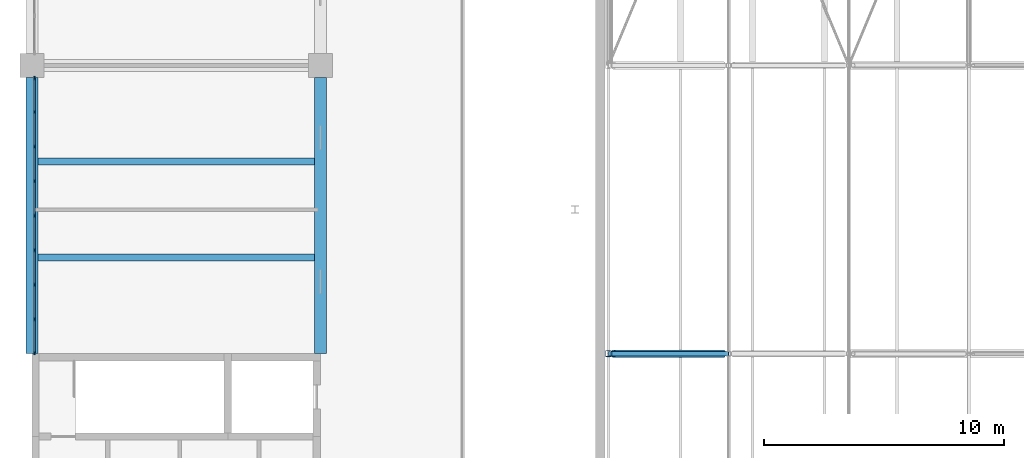
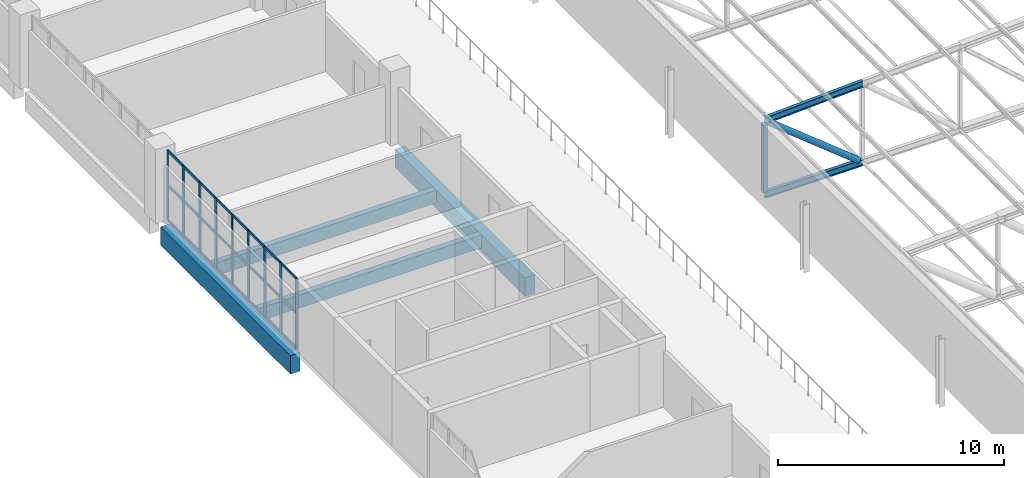
# One storey, part 88 of 156: 37 members, 4 beams, 1 element without a shape of its own.
"""IFC4 building model written with IfcOpenShell, lengths in metres."""

from ifc_helpers import new_model, si_unit, direction, frame, origin, origin_2d, place, context, subcontext, project, spatial, rectangle, hollow_rectangle, hollow_circle, i_section, extrude, material, layer, layer_set, material_profile, profile_set, type_object, element, aggregate, save


model = new_model("IFC4")

# Units and contexts
model_context = context("Model", 3, precision=1e-05, world=origin(), true_north=direction((0.0, 1.0)))
body_context = subcontext(model_context, "Body", "Model", "MODEL_VIEW")
ifc_project = project(units=[si_unit("LENGTHUNIT", "METRE"), si_unit("AREAUNIT", "SQUARE_METRE"), si_unit("VOLUMEUNIT", "CUBIC_METRE"), si_unit("PLANEANGLEUNIT", "RADIAN"), si_unit("MASSUNIT", "GRAM", prefix="KILO")], contexts=[model_context])

# Site, building, storey
site_placement = place(None, origin())
site = spatial("IfcSite", under=ifc_project, at=site_placement, CompositionType="ELEMENT")
building_placement = place(site_placement, origin())
building = spatial("IfcBuilding", under=site, at=building_placement, Name="Lilac Gate Convention Centre", CompositionType="ELEMENT")
storey_placement = place(building_placement, frame((0.0, 0.0, 17.0)))
storey = spatial("IfcBuildingStorey", under=building, at=storey_placement, Name="L03", CompositionType="ELEMENT", Elevation=17.0)

# Curtain wall, members
ifc_material_1 = material(Name="Aluminium framed double glazing", Category="aluminium")
ifc_layer = layer(ifc_material_1, 0.199951171875)
ifc_layer_set = layer_set([ifc_layer], Name="Aluminium framed double glazing")
curtain_wall_type = type_object("IfcCurtainWallType", Name="Unitised curtain wall 1500", PredefinedType="NOTDEFINED", material=ifc_layer_set)
curtain_wall_placement = place(storey_placement, origin())
curtain_wall = element("IfcCurtainWall", 1, at=curtain_wall_placement, inside=storey, type_object=curtain_wall_type, Name="Curtain wall PW L03 4", PredefinedType="NOTDEFINED")
ifc_material_2 = material(Name="Aluminium alloy 6063", Category="aluminium")
ifc_material_profile_1 = material_profile(ifc_material_2, rectangle(XDim=0.06005859375, YDim=0.159912109375, at=origin_2d()), Name="Curtain wall mullion 60 x 160")
ifc_profile_set_1 = profile_set([ifc_material_profile_1], Name="Aluminium alloy 6063")
member_type_1 = type_object("IfcMemberType", Name="Curtain wall mullion 60 x 160", PredefinedType="MULLION", material=ifc_profile_set_1)
member_1_placement = place(storey_placement, frame((6.10009765625, 173.469970703125, 0.0), z_axis=(0.0, 0.0, 1.0), x_axis=(1.0, 0.0, 0.0)))
member_1 = element("IfcMember", 2, at=member_1_placement, type_object=member_type_1, Name="CW mullion 1", PredefinedType="MULLION", context=body_context, shape_type="SweptSolid", body=[
    extrude(rectangle(XDim=0.06005859375, YDim=0.159912109375, at=origin_2d()), origin(), (0.0, 0.0, 1.0), 3.800048828125),
])
member_2_placement = place(storey_placement, frame((6.10009765625, 172.0625, 0.0), z_axis=(0.0, 0.0, 1.0), x_axis=(1.0, 0.0, 0.0)))
member_2 = element("IfcMember", 3, at=member_2_placement, type_object=member_type_1, Name="CW mullion 2", PredefinedType="MULLION", context=body_context, shape_type="SweptSolid", body=[
    extrude(rectangle(XDim=0.06005859375, YDim=0.159912109375, at=origin_2d()), origin(), (0.0, 0.0, 1.0), 3.800048828125),
])
member_3_placement = place(storey_placement, frame((6.10009765625, 170.625, 0.0), z_axis=(0.0, 0.0, 1.0), x_axis=(1.0, 0.0, 0.0)))
member_3 = element("IfcMember", 4, at=member_3_placement, type_object=member_type_1, Name="CW mullion 3", PredefinedType="MULLION", context=body_context, shape_type="SweptSolid", body=[
    extrude(rectangle(XDim=0.06005859375, YDim=0.159912109375, at=origin_2d()), origin(), (0.0, 0.0, 1.0), 3.800048828125),
])
member_4_placement = place(storey_placement, frame((6.10009765625, 169.1875, 0.0), z_axis=(0.0, 0.0, 1.0), x_axis=(1.0, 0.0, 0.0)))
member_4 = element("IfcMember", 5, at=member_4_placement, type_object=member_type_1, Name="CW mullion 4", PredefinedType="MULLION", context=body_context, shape_type="SweptSolid", body=[
    extrude(rectangle(XDim=0.06005859375, YDim=0.159912109375, at=origin_2d()), origin(), (0.0, 0.0, 1.0), 3.800048828125),
])
member_5_placement = place(storey_placement, frame((6.10009765625, 167.75, 0.0), z_axis=(0.0, 0.0, 1.0), x_axis=(1.0, 0.0, 0.0)))
member_5 = element("IfcMember", 6, at=member_5_placement, type_object=member_type_1, Name="CW mullion 5", PredefinedType="MULLION", context=body_context, shape_type="SweptSolid", body=[
    extrude(rectangle(XDim=0.06005859375, YDim=0.159912109375, at=origin_2d()), origin(), (0.0, 0.0, 1.0), 3.800048828125),
])
member_6_placement = place(storey_placement, frame((6.10009765625, 166.3125, 0.0), z_axis=(0.0, 0.0, 1.0), x_axis=(1.0, 0.0, 0.0)))
member_6 = element("IfcMember", 7, at=member_6_placement, type_object=member_type_1, Name="CW mullion 6", PredefinedType="MULLION", context=body_context, shape_type="SweptSolid", body=[
    extrude(rectangle(XDim=0.06005859375, YDim=0.159912109375, at=origin_2d()), origin(), (0.0, 0.0, 1.0), 3.800048828125),
])
member_7_placement = place(storey_placement, frame((6.10009765625, 164.875, 0.0), z_axis=(0.0, 0.0, 1.0), x_axis=(1.0, 0.0, 0.0)))
member_7 = element("IfcMember", 8, at=member_7_placement, type_object=member_type_1, Name="CW mullion 7", PredefinedType="MULLION", context=body_context, shape_type="SweptSolid", body=[
    extrude(rectangle(XDim=0.06005859375, YDim=0.159912109375, at=origin_2d()), origin(), (0.0, 0.0, 1.0), 3.800048828125),
])
member_8_placement = place(storey_placement, frame((6.10009765625, 163.4375, 0.0), z_axis=(0.0, 0.0, 1.0), x_axis=(1.0, 0.0, 0.0)))
member_8 = element("IfcMember", 9, at=member_8_placement, type_object=member_type_1, Name="CW mullion 8", PredefinedType="MULLION", context=body_context, shape_type="SweptSolid", body=[
    extrude(rectangle(XDim=0.06005859375, YDim=0.159912109375, at=origin_2d()), origin(), (0.0, 0.0, 1.0), 3.800048828125),
])
member_9_placement = place(storey_placement, frame((6.10009765625, 162.030029296875, 0.0), z_axis=(0.0, 0.0, 1.0), x_axis=(1.0, 0.0, 0.0)))
member_9 = element("IfcMember", 10, at=member_9_placement, type_object=member_type_1, Name="CW mullion 9", PredefinedType="MULLION", context=body_context, shape_type="SweptSolid", body=[
    extrude(rectangle(XDim=0.06005859375, YDim=0.159912109375, at=origin_2d()), origin(), (0.0, 0.0, 1.0), 3.800048828125),
])
ifc_material_profile_2 = material_profile(ifc_material_2, rectangle(XDim=0.06005859375, YDim=0.1201171875, at=origin_2d()), Name="Curtain wall transom 60 x 120")
ifc_profile_set_2 = profile_set([ifc_material_profile_2], Name="Aluminium alloy 6063")
member_type_2 = type_object("IfcMemberType", Name="Curtain wall transom 60 x 120", PredefinedType="USERDEFINED", material=ifc_profile_set_2)
member_10_placement = place(storey_placement, frame((6.10009765625, 173.43994140625, 0.030029296875), z_axis=(0.0, -1.0, 0.0), x_axis=(1.0, 0.0, 0.0)))
member_10 = element("IfcMember", 11, at=member_10_placement, type_object=member_type_2, Name="CW transom 1.1", ObjectType="TRANSOM", PredefinedType="USERDEFINED", context=body_context, shape_type="SweptSolid", body=[
    extrude(rectangle(XDim=0.06005859375, YDim=0.1201171875, at=origin_2d()), origin(), (0.0, 0.0, 1.0), 1.347412109375),
])
member_11_placement = place(storey_placement, frame((6.10009765625, 173.43994140625, 1.89990234375), z_axis=(0.0, -1.0, 0.0), x_axis=(1.0, 0.0, 0.0)))
member_11 = element("IfcMember", 12, at=member_11_placement, type_object=member_type_2, Name="CW transom 1.2", ObjectType="TRANSOM", PredefinedType="USERDEFINED", context=body_context, shape_type="SweptSolid", body=[
    extrude(rectangle(XDim=0.06005859375, YDim=0.1201171875, at=origin_2d()), origin(), (0.0, 0.0, 1.0), 1.347412109375),
])
member_12_placement = place(storey_placement, frame((6.10009765625, 173.43994140625, 3.77001953125), z_axis=(0.0, -1.0, 0.0), x_axis=(1.0, 0.0, 0.0)))
member_12 = element("IfcMember", 13, at=member_12_placement, type_object=member_type_2, Name="CW transom 1.3", ObjectType="TRANSOM", PredefinedType="USERDEFINED", context=body_context, shape_type="SweptSolid", body=[
    extrude(rectangle(XDim=0.06005859375, YDim=0.1201171875, at=origin_2d()), origin(), (0.0, 0.0, 1.0), 1.347412109375),
])
member_13_placement = place(storey_placement, frame((6.10009765625, 172.032470703125, 0.030029296875), z_axis=(0.0, -1.0, 0.0), x_axis=(1.0, 0.0, 0.0)))
member_13 = element("IfcMember", 14, at=member_13_placement, type_object=member_type_2, Name="CW transom 2.1", ObjectType="TRANSOM", PredefinedType="USERDEFINED", context=body_context, shape_type="SweptSolid", body=[
    extrude(rectangle(XDim=0.06005859375, YDim=0.1201171875, at=origin_2d()), origin(), (0.0, 0.0, 1.0), 1.37744140625),
])
member_14_placement = place(storey_placement, frame((6.10009765625, 172.032470703125, 1.89990234375), z_axis=(0.0, -1.0, 0.0), x_axis=(1.0, 0.0, 0.0)))
member_14 = element("IfcMember", 15, at=member_14_placement, type_object=member_type_2, Name="CW transom 2.2", ObjectType="TRANSOM", PredefinedType="USERDEFINED", context=body_context, shape_type="SweptSolid", body=[
    extrude(rectangle(XDim=0.06005859375, YDim=0.1201171875, at=origin_2d()), origin(), (0.0, 0.0, 1.0), 1.37744140625),
])
member_15_placement = place(storey_placement, frame((6.10009765625, 172.032470703125, 3.77001953125), z_axis=(0.0, -1.0, 0.0), x_axis=(1.0, 0.0, 0.0)))
member_15 = element("IfcMember", 16, at=member_15_placement, type_object=member_type_2, Name="CW transom 2.3", ObjectType="TRANSOM", PredefinedType="USERDEFINED", context=body_context, shape_type="SweptSolid", body=[
    extrude(rectangle(XDim=0.06005859375, YDim=0.1201171875, at=origin_2d()), origin(), (0.0, 0.0, 1.0), 1.37744140625),
])
member_16_placement = place(storey_placement, frame((6.10009765625, 170.594970703125, 0.030029296875), z_axis=(0.0, -1.0, 0.0), x_axis=(1.0, 0.0, 0.0)))
member_16 = element("IfcMember", 17, at=member_16_placement, type_object=member_type_2, Name="CW transom 3.1", ObjectType="TRANSOM", PredefinedType="USERDEFINED", context=body_context, shape_type="SweptSolid", body=[
    extrude(rectangle(XDim=0.06005859375, YDim=0.1201171875, at=origin_2d()), origin(), (0.0, 0.0, 1.0), 1.37744140625),
])
member_17_placement = place(storey_placement, frame((6.10009765625, 170.594970703125, 1.89990234375), z_axis=(0.0, -1.0, 0.0), x_axis=(1.0, 0.0, 0.0)))
member_17 = element("IfcMember", 18, at=member_17_placement, type_object=member_type_2, Name="CW transom 3.2", ObjectType="TRANSOM", PredefinedType="USERDEFINED", context=body_context, shape_type="SweptSolid", body=[
    extrude(rectangle(XDim=0.06005859375, YDim=0.1201171875, at=origin_2d()), origin(), (0.0, 0.0, 1.0), 1.37744140625),
])
member_18_placement = place(storey_placement, frame((6.10009765625, 170.594970703125, 3.77001953125), z_axis=(0.0, -1.0, 0.0), x_axis=(1.0, 0.0, 0.0)))
member_18 = element("IfcMember", 19, at=member_18_placement, type_object=member_type_2, Name="CW transom 3.3", ObjectType="TRANSOM", PredefinedType="USERDEFINED", context=body_context, shape_type="SweptSolid", body=[
    extrude(rectangle(XDim=0.06005859375, YDim=0.1201171875, at=origin_2d()), origin(), (0.0, 0.0, 1.0), 1.37744140625),
])
member_19_placement = place(storey_placement, frame((6.10009765625, 169.157470703125, 0.030029296875), z_axis=(0.0, -1.0, 0.0), x_axis=(1.0, 0.0, 0.0)))
member_19 = element("IfcMember", 20, at=member_19_placement, type_object=member_type_2, Name="CW transom 4.1", ObjectType="TRANSOM", PredefinedType="USERDEFINED", context=body_context, shape_type="SweptSolid", body=[
    extrude(rectangle(XDim=0.06005859375, YDim=0.1201171875, at=origin_2d()), origin(), (0.0, 0.0, 1.0), 1.37744140625),
])
member_20_placement = place(storey_placement, frame((6.10009765625, 169.157470703125, 1.89990234375), z_axis=(0.0, -1.0, 0.0), x_axis=(1.0, 0.0, 0.0)))
member_20 = element("IfcMember", 21, at=member_20_placement, type_object=member_type_2, Name="CW transom 4.2", ObjectType="TRANSOM", PredefinedType="USERDEFINED", context=body_context, shape_type="SweptSolid", body=[
    extrude(rectangle(XDim=0.06005859375, YDim=0.1201171875, at=origin_2d()), origin(), (0.0, 0.0, 1.0), 1.37744140625),
])
member_21_placement = place(storey_placement, frame((6.10009765625, 169.157470703125, 3.77001953125), z_axis=(0.0, -1.0, 0.0), x_axis=(1.0, 0.0, 0.0)))
member_21 = element("IfcMember", 22, at=member_21_placement, type_object=member_type_2, Name="CW transom 4.3", ObjectType="TRANSOM", PredefinedType="USERDEFINED", context=body_context, shape_type="SweptSolid", body=[
    extrude(rectangle(XDim=0.06005859375, YDim=0.1201171875, at=origin_2d()), origin(), (0.0, 0.0, 1.0), 1.37744140625),
])
member_22_placement = place(storey_placement, frame((6.10009765625, 167.719970703125, 0.030029296875), z_axis=(0.0, -1.0, 0.0), x_axis=(1.0, 0.0, 0.0)))
member_22 = element("IfcMember", 23, at=member_22_placement, type_object=member_type_2, Name="CW transom 5.1", ObjectType="TRANSOM", PredefinedType="USERDEFINED", context=body_context, shape_type="SweptSolid", body=[
    extrude(rectangle(XDim=0.06005859375, YDim=0.1201171875, at=origin_2d()), origin(), (0.0, 0.0, 1.0), 1.37744140625),
])
member_23_placement = place(storey_placement, frame((6.10009765625, 167.719970703125, 1.89990234375), z_axis=(0.0, -1.0, 0.0), x_axis=(1.0, 0.0, 0.0)))
member_23 = element("IfcMember", 24, at=member_23_placement, type_object=member_type_2, Name="CW transom 5.2", ObjectType="TRANSOM", PredefinedType="USERDEFINED", context=body_context, shape_type="SweptSolid", body=[
    extrude(rectangle(XDim=0.06005859375, YDim=0.1201171875, at=origin_2d()), origin(), (0.0, 0.0, 1.0), 1.37744140625),
])
member_24_placement = place(storey_placement, frame((6.10009765625, 167.719970703125, 3.77001953125), z_axis=(0.0, -1.0, 0.0), x_axis=(1.0, 0.0, 0.0)))
member_24 = element("IfcMember", 25, at=member_24_placement, type_object=member_type_2, Name="CW transom 5.3", ObjectType="TRANSOM", PredefinedType="USERDEFINED", context=body_context, shape_type="SweptSolid", body=[
    extrude(rectangle(XDim=0.06005859375, YDim=0.1201171875, at=origin_2d()), origin(), (0.0, 0.0, 1.0), 1.37744140625),
])
member_25_placement = place(storey_placement, frame((6.10009765625, 166.282470703125, 0.030029296875), z_axis=(0.0, -1.0, 0.0), x_axis=(1.0, 0.0, 0.0)))
member_25 = element("IfcMember", 26, at=member_25_placement, type_object=member_type_2, Name="CW transom 6.1", ObjectType="TRANSOM", PredefinedType="USERDEFINED", context=body_context, shape_type="SweptSolid", body=[
    extrude(rectangle(XDim=0.06005859375, YDim=0.1201171875, at=origin_2d()), origin(), (0.0, 0.0, 1.0), 1.37744140625),
])
member_26_placement = place(storey_placement, frame((6.10009765625, 166.282470703125, 1.89990234375), z_axis=(0.0, -1.0, 0.0), x_axis=(1.0, 0.0, 0.0)))
member_26 = element("IfcMember", 27, at=member_26_placement, type_object=member_type_2, Name="CW transom 6.2", ObjectType="TRANSOM", PredefinedType="USERDEFINED", context=body_context, shape_type="SweptSolid", body=[
    extrude(rectangle(XDim=0.06005859375, YDim=0.1201171875, at=origin_2d()), origin(), (0.0, 0.0, 1.0), 1.37744140625),
])
member_27_placement = place(storey_placement, frame((6.10009765625, 166.282470703125, 3.77001953125), z_axis=(0.0, -1.0, 0.0), x_axis=(1.0, 0.0, 0.0)))
member_27 = element("IfcMember", 28, at=member_27_placement, type_object=member_type_2, Name="CW transom 6.3", ObjectType="TRANSOM", PredefinedType="USERDEFINED", context=body_context, shape_type="SweptSolid", body=[
    extrude(rectangle(XDim=0.06005859375, YDim=0.1201171875, at=origin_2d()), origin(), (0.0, 0.0, 1.0), 1.37744140625),
])
member_28_placement = place(storey_placement, frame((6.10009765625, 164.844970703125, 0.030029296875), z_axis=(0.0, -1.0, 0.0), x_axis=(1.0, 0.0, 0.0)))
member_28 = element("IfcMember", 29, at=member_28_placement, type_object=member_type_2, Name="CW transom 7.1", ObjectType="TRANSOM", PredefinedType="USERDEFINED", context=body_context, shape_type="SweptSolid", body=[
    extrude(rectangle(XDim=0.06005859375, YDim=0.1201171875, at=origin_2d()), origin(), (0.0, 0.0, 1.0), 1.37744140625),
])
member_29_placement = place(storey_placement, frame((6.10009765625, 164.844970703125, 1.89990234375), z_axis=(0.0, -1.0, 0.0), x_axis=(1.0, 0.0, 0.0)))
member_29 = element("IfcMember", 30, at=member_29_placement, type_object=member_type_2, Name="CW transom 7.2", ObjectType="TRANSOM", PredefinedType="USERDEFINED", context=body_context, shape_type="SweptSolid", body=[
    extrude(rectangle(XDim=0.06005859375, YDim=0.1201171875, at=origin_2d()), origin(), (0.0, 0.0, 1.0), 1.37744140625),
])
member_30_placement = place(storey_placement, frame((6.10009765625, 164.844970703125, 3.77001953125), z_axis=(0.0, -1.0, 0.0), x_axis=(1.0, 0.0, 0.0)))
member_30 = element("IfcMember", 31, at=member_30_placement, type_object=member_type_2, Name="CW transom 7.3", ObjectType="TRANSOM", PredefinedType="USERDEFINED", context=body_context, shape_type="SweptSolid", body=[
    extrude(rectangle(XDim=0.06005859375, YDim=0.1201171875, at=origin_2d()), origin(), (0.0, 0.0, 1.0), 1.37744140625),
])
member_31_placement = place(storey_placement, frame((6.10009765625, 163.407470703125, 0.030029296875), z_axis=(0.0, -1.0, 0.0), x_axis=(1.0, 0.0, 0.0)))
member_31 = element("IfcMember", 32, at=member_31_placement, type_object=member_type_2, Name="CW transom 8.1", ObjectType="TRANSOM", PredefinedType="USERDEFINED", context=body_context, shape_type="SweptSolid", body=[
    extrude(rectangle(XDim=0.06005859375, YDim=0.1201171875, at=origin_2d()), origin(), (0.0, 0.0, 1.0), 1.347412109375),
])
member_32_placement = place(storey_placement, frame((6.10009765625, 163.407470703125, 1.89990234375), z_axis=(0.0, -1.0, 0.0), x_axis=(1.0, 0.0, 0.0)))
member_32 = element("IfcMember", 33, at=member_32_placement, type_object=member_type_2, Name="CW transom 8.2", ObjectType="TRANSOM", PredefinedType="USERDEFINED", context=body_context, shape_type="SweptSolid", body=[
    extrude(rectangle(XDim=0.06005859375, YDim=0.1201171875, at=origin_2d()), origin(), (0.0, 0.0, 1.0), 1.347412109375),
])
member_33_placement = place(storey_placement, frame((6.10009765625, 163.407470703125, 3.77001953125), z_axis=(0.0, -1.0, 0.0), x_axis=(1.0, 0.0, 0.0)))
member_33 = element("IfcMember", 34, at=member_33_placement, type_object=member_type_2, Name="CW transom 8.3", ObjectType="TRANSOM", PredefinedType="USERDEFINED", context=body_context, shape_type="SweptSolid", body=[
    extrude(rectangle(XDim=0.06005859375, YDim=0.1201171875, at=origin_2d()), origin(), (0.0, 0.0, 1.0), 1.347412109375),
])
aggregate(curtain_wall, [member_1, member_2, member_3, member_4, member_5, member_6, member_7, member_8, member_9, member_10, member_11, member_12, member_13, member_14, member_15, member_16, member_17, member_18, member_19, member_20, member_21, member_22, member_23, member_24, member_25, member_26, member_27, member_28, member_29, member_30, member_31, member_32, member_33])

# Beams
ifc_material_3 = material(Name="Concrete C40", Category="concrete")
ifc_material_profile_3 = material_profile(ifc_material_3, rectangle(XDim=0.5, YDim=1.0, at=origin_2d()), Name="RC 500x1000")
ifc_profile_set_3 = profile_set([ifc_material_profile_3], Name="Concrete C40")
beam_type_1 = type_object("IfcBeamType", Name="Primary beam 500x1000 C40", PredefinedType="BEAM", material=ifc_profile_set_3)
for number, where, z_axis, x_axis, name in (
    (35, (6.0, 162.0, -0.75), (0.0, 1.0, 0.0), (-1.0, 0.0, 0.0), "RB1 L03 1/M-1/N"),
    (36, (18.0, 162.0, -0.75), (0.0, 1.0, 0.0), (-1.0, 0.0, 0.0), "RB1 L03 2/M-2/N"),
):
    element("IfcBeam", number, at=place(storey_placement, frame(where, z_axis=z_axis, x_axis=x_axis)), inside=storey, type_object=beam_type_1, Name=name, PredefinedType="BEAM", context=body_context, shape_type="SweptSolid", body=[
        extrude(rectangle(XDim=0.5, YDim=1.0, at=origin_2d()), origin(), (0.0, 0.0, 1.0), 11.5),
    ])
ifc_material_profile_4 = material_profile(ifc_material_3, rectangle(XDim=0.300048828125, YDim=0.699951171875, at=origin_2d()), Name="RC 300x700")
ifc_profile_set_4 = profile_set([ifc_material_profile_4], Name="Concrete C40")
beam_type_2 = type_object("IfcBeamType", Name="Secondary beam 300x700 C40", PredefinedType="BEAM", material=ifc_profile_set_4)
for number, where, z_axis, x_axis, name in (
    (37, (6.25, 166.0, -0.60009765625), (1.0, 0.0, 0.0), (0.0, 1.0, 0.0), "RB2 L03 bay 1/M"),
    (38, (6.25, 170.0, -0.60009765625), (1.0, 0.0, 0.0), (0.0, 1.0, 0.0), "RB2 L03 bay 1/M"),
):
    element("IfcBeam", number, at=place(storey_placement, frame(where, z_axis=z_axis, x_axis=x_axis)), inside=storey, type_object=beam_type_2, Name=name, PredefinedType="BEAM", context=body_context, shape_type="SweptSolid", body=[
        extrude(rectangle(XDim=0.300048828125, YDim=0.699951171875, at=origin_2d()), origin(), (0.0, 0.0, 1.0), 11.5),
    ])

# Members
ifc_material_4 = material(Name="Steel Q355B", Category="steel")
ifc_material_profile_5 = material_profile(ifc_material_4, i_section(OverallWidth=0.175048828125, OverallDepth=0.35009765625, WebThickness=0.007080078125, FlangeThickness=0.010986328125, FilletRadius=0.012939453125, at=origin_2d()), Name="HN350x175x7x11")
ifc_profile_set_5 = profile_set([ifc_material_profile_5], Name="Steel Q355B")
member_type_3 = type_object("IfcMemberType", Name="Truss bottom chord HN350x175x7x11", PredefinedType="CHORD", material=ifc_profile_set_5)
member_34_placement = place(storey_placement, frame((30.0, 162.0, 0.0), z_axis=(1.0, 0.0, 0.0), x_axis=(0.0, 1.0, 0.0)))
element("IfcMember", 39, at=member_34_placement, inside=storey, type_object=member_type_3, Name="TB1 truss 12 bottom chord 1", PredefinedType="CHORD", context=body_context, shape_type="SweptSolid", body=[
    extrude(i_section(OverallWidth=0.175048828125, OverallDepth=0.35009765625, WebThickness=0.007080078125, FlangeThickness=0.010986328125, FilletRadius=0.012939453125, at=origin_2d()), origin(), (0.0, 0.0, 1.0), 5.0),
])
ifc_material_profile_6 = material_profile(ifc_material_4, hollow_circle(Radius=0.161865234375, WallThickness=0.011962890625, at=origin_2d()), Name="CHS323.9x12")
ifc_profile_set_6 = profile_set([ifc_material_profile_6], Name="Steel Q355B")
member_type_4 = type_object("IfcMemberType", Name="Truss diagonal CHS323.9x12", PredefinedType="BRACE", material=ifc_profile_set_6)
member_35_placement = place(storey_placement, frame((30.205322265625, 162.0, 3.835693359375), z_axis=(0.780876938611, 0.0, -0.624684885959), x_axis=(0.0, 1.0, 0.0)))
element("IfcMember", 40, at=member_35_placement, inside=storey, type_object=member_type_4, Name="TW1 truss 12 diagonal 1", PredefinedType="BRACE", context=body_context, shape_type="SweptSolid", body=[
    extrude(hollow_circle(Radius=0.161865234375, WallThickness=0.011962890625, at=origin_2d()), origin(), (0.0, 0.0, 1.0), 5.860107421875),
])
ifc_material_profile_7 = material_profile(ifc_material_4, i_section(OverallWidth=0.175048828125, OverallDepth=0.35009765625, WebThickness=0.007080078125, FlangeThickness=0.010986328125, FilletRadius=0.012939453125, at=origin_2d()), Name="HN350x175x7x11")
ifc_profile_set_7 = profile_set([ifc_material_profile_7], Name="Steel Q355B")
member_type_5 = type_object("IfcMemberType", Name="Truss top chord HN350x175x7x11", PredefinedType="CHORD", material=ifc_profile_set_7)
member_36_placement = place(storey_placement, frame((30.0, 162.0, 4.0), z_axis=(0.998752338878, 0.0, 0.049937616944), x_axis=(0.0, 1.0, 0.0)))
element("IfcMember", 41, at=member_36_placement, inside=storey, type_object=member_type_5, Name="TT1 truss 12 top chord 1", PredefinedType="CHORD", context=body_context, shape_type="SweptSolid", body=[
    extrude(i_section(OverallWidth=0.175048828125, OverallDepth=0.35009765625, WebThickness=0.007080078125, FlangeThickness=0.010986328125, FilletRadius=0.012939453125, at=origin_2d()), origin(), (0.0, 0.0, 1.0), 5.00634765625),
])
ifc_material_profile_8 = material_profile(ifc_material_4, hollow_rectangle(XDim=0.25, YDim=0.25, WallThickness=0.010009765625, InnerFilletRadius=0.014892578125, OuterFilletRadius=0.02490234375, at=origin_2d()), Name="SHS250x250x10")
ifc_profile_set_8 = profile_set([ifc_material_profile_8], Name="Steel Q355B")
member_type_6 = type_object("IfcMemberType", Name="Truss vertical SHS250x250x10", PredefinedType="STRUT", material=ifc_profile_set_8)
member_37_placement = place(storey_placement, frame((30.0, 162.0, 0.175048828125), z_axis=(0.0, 0.0, 1.0), x_axis=(1.0, 0.0, 0.0)))
element("IfcMember", 42, at=member_37_placement, inside=storey, type_object=member_type_6, Name="TV1 truss 12 vertical 1", PredefinedType="STRUT", context=body_context, shape_type="SweptSolid", body=[
    extrude(hollow_rectangle(XDim=0.25, YDim=0.25, WallThickness=0.010009765625, InnerFilletRadius=0.014892578125, OuterFilletRadius=0.02490234375, at=origin_2d()), origin(), (0.0, 0.0, 1.0), 3.649658203125),
])

save(model, "model.ifc")
